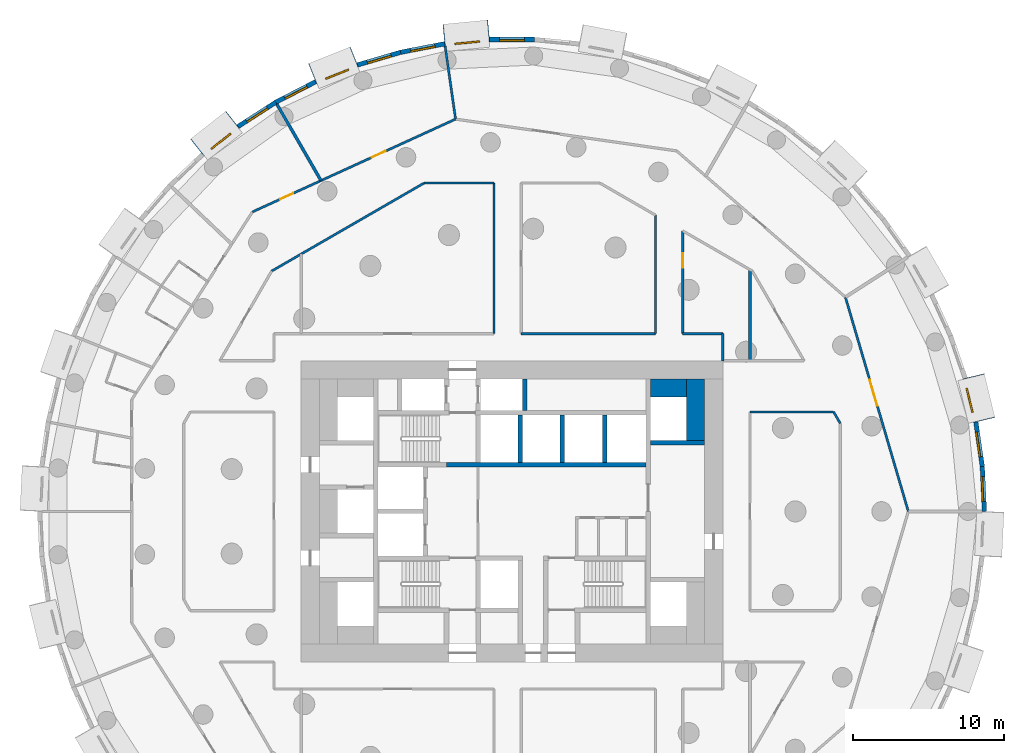
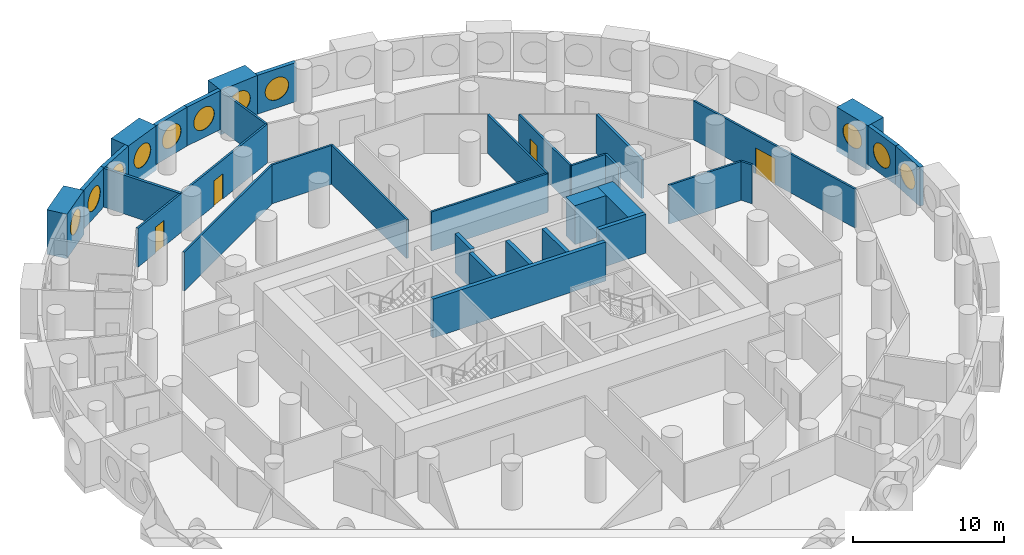
# One storey, part 8 of 11: 34 walls, 11 windows, 4 doors, 15 openings.
"""IFC4 building model written with IfcOpenShell, lengths in metres."""

from ifc_helpers import new_model, si_unit, direction, frame, frame_2d, origin, origin_2d, place, context, subcontext, project, spatial, rectangle, circle, extrude, material, layer, layer_set, type_object, element, fill, save


model = new_model("IFC4")

# Units and contexts
model_context = context("Model", 3, precision=1e-05, world=origin(), true_north=direction((0.0, 1.0)))
body_context = subcontext(model_context, "Body", "Model", "MODEL_VIEW")
ifc_project = project(units=[si_unit("LENGTHUNIT", "METRE"), si_unit("AREAUNIT", "SQUARE_METRE"), si_unit("VOLUMEUNIT", "CUBIC_METRE"), si_unit("PLANEANGLEUNIT", "RADIAN"), si_unit("MASSUNIT", "GRAM", prefix="KILO")], contexts=[model_context])

# Site, building, storey
site_placement = place(None, origin())
site = spatial("IfcSite", under=ifc_project, at=site_placement, CompositionType="ELEMENT")
building_placement = place(site_placement, origin())
building = spatial("IfcBuilding", under=site, at=building_placement, Name="Tracery Tower", CompositionType="ELEMENT")
storey_placement = place(building_placement, frame((0.0, 0.0, 64.199951171875)))
storey = spatial("IfcBuildingStorey", under=building, at=storey_placement, Name="L15", CompositionType="ELEMENT", Elevation=64.199951171875)

# Walls
ifc_material_1 = material(Name="Concrete C60/75", Category="concrete")
ifc_layer_1 = layer(ifc_material_1, 1.199951171875)
ifc_layer_set_1 = layer_set([ifc_layer_1], Name="Core strip wall 1200 C60")
wall_type_1 = type_object("IfcWallType", Name="Core strip wall 1200 C60", PredefinedType="SOLIDWALL", material=ifc_layer_set_1)
wall_1_placement = place(storey_placement, frame((12.199951171875, 4.699951171875, 0.0), z_axis=(0.0, 0.0, 1.0), x_axis=(0.0, 1.0, 0.0)))
element("IfcWall", 1, at=wall_1_placement, inside=storey, type_object=wall_type_1, Name="L15 wing strip +1 4.55", PredefinedType="SOLIDWALL", context=body_context, shape_type="SweptSolid", body=[
    extrude(rectangle(XDim=4.10009765625, YDim=1.199951171875, at=frame_2d((2.050048828125, 0.0))), origin(), (0.0, 0.0, 1.0), 3.150146484375),
])
wall_2_placement = place(storey_placement, frame((9.199951171875, 8.199951171875, 0.0), z_axis=(0.0, 0.0, 1.0), x_axis=(1.0, 0.0, 0.0)))
element("IfcWall", 2, at=wall_2_placement, inside=storey, type_object=wall_type_1, Name="L15 wing corner +1 +8.2", PredefinedType="SOLIDWALL", context=body_context, shape_type="SweptSolid", body=[
    extrude(rectangle(XDim=2.400146484375, YDim=1.199951171875, at=frame_2d((1.2001953125, 0.0))), origin(), (0.0, 0.0, 1.0), 3.150146484375),
])

# Wall, opening, window
ifc_material_2 = material(Name="Precast concrete C50/60", Category="concrete")
ifc_layer_2 = layer(ifc_material_2, 1.449951171875)
ifc_layer_set_2 = layer_set([ifc_layer_2], Name="Deep-set bay unit 3000 x 3600, slab edge 450")
wall_type_2 = type_object("IfcWallType", Name="Deep-set bay unit 3000 x 3600, slab edge 450", PredefinedType="ELEMENTEDWALL", material=ifc_layer_set_2)
wall_3_placement = place(storey_placement, frame((31.367919921875, 6.066162109375, -0.449951171875), z_axis=(0.0, 0.0, 1.0), x_axis=(-0.235751415068, 0.971813392732, 0.0)))
wall_3 = element("IfcWall", 3, at=wall_3_placement, inside=storey, type_object=wall_type_2, Name="Deep-set bay unit 3 at L15", PredefinedType="ELEMENTEDWALL", context=body_context, shape_type="SweptSolid", body=[
    extrude(rectangle(XDim=3.0, YDim=1.449951171875, at=frame_2d((1.5, 0.0))), origin(), (0.0, 0.0, 1.0), 3.60009765625),
])
opening_1_placement = place(wall_3_placement, frame((1.5, 0.0, 2.0)))
opening_1 = element("IfcOpeningElement", 4, at=opening_1_placement, cuts=wall_3, Name="Opening WN1", PredefinedType="OPENING", context=body_context, shape_type="SweptSolid", body=[
    extrude(circle(Radius=0.9000244140625, at=origin_2d()), frame((0.0, 0.73486328125, 0.0), z_axis=(0.0, -1.0, 0.0), x_axis=(1.0, 0.0, 0.0)), (0.0, 0.0, 1.0), 1.469970703125),
])
ifc_material_3 = material(Name="Aluminium frame with tinted double glazing", Category="aluminium")
window_type = type_object("IfcWindowType", Name="Round window 1800", PartitioningType="SINGLE_PANEL", PredefinedType="WINDOW", material=ifc_material_3)
window_1_placement = place(opening_1_placement, origin())
window_1 = element("IfcWindow", 5, at=window_1_placement, inside=storey, type_object=window_type, Name="Round window 3 at L15", OverallHeight=1.800048828125, OverallWidth=1.800048828125, PartitioningType="SINGLE_PANEL", PredefinedType="WINDOW", context=body_context, shape_type="SweptSolid", body=[
    extrude(circle(Radius=0.9000244140625, at=origin_2d()), frame((0.0, 0.69482421875, 0.0), z_axis=(0.0, -1.0, 0.0), x_axis=(1.0, 0.0, 0.0)), (0.0, 0.0, 1.0), 0.10009765625),
])
fill(opening_1, window_1)

wall_4_placement = place(storey_placement, frame((-1.540283203125, 31.911865234375, -0.449951171875), z_axis=(0.0, 0.0, 1.0), x_axis=(-0.995472768558, -0.09504718333, 0.0)))
wall_4 = element("IfcWall", 6, at=wall_4_placement, inside=storey, type_object=wall_type_2, Name="Deep-set bay unit 18 at L15", PredefinedType="ELEMENTEDWALL", context=body_context, shape_type="SweptSolid", body=[
    extrude(rectangle(XDim=3.000244140625, YDim=1.449951171875, at=frame_2d((1.5, 0.0))), origin(), (0.0, 0.0, 1.0), 3.60009765625),
])
opening_2_placement = place(wall_4_placement, frame((1.5, 0.0, 2.0)))
opening_2 = element("IfcOpeningElement", 7, at=opening_2_placement, cuts=wall_4, Name="Opening WN1", PredefinedType="OPENING", context=body_context, shape_type="SweptSolid", body=[
    extrude(circle(Radius=0.9000244140625, at=origin_2d()), frame((0.0, 0.73486328125, 0.0), z_axis=(0.0, -1.0, 0.0), x_axis=(1.0, 0.0, 0.0)), (0.0, 0.0, 1.0), 1.469970703125),
])
window_2_placement = place(opening_2_placement, origin())
window_2 = element("IfcWindow", 8, at=window_2_placement, inside=storey, type_object=window_type, Name="Round window 18 at L15", OverallHeight=1.800048828125, OverallWidth=1.800048828125, PartitioningType="SINGLE_PANEL", PredefinedType="WINDOW", context=body_context, shape_type="SweptSolid", body=[
    extrude(circle(Radius=0.9000244140625, at=origin_2d()), frame((0.0, 0.69482421875, 0.0), z_axis=(0.0, -1.0, 0.0), x_axis=(1.0, 0.0, 0.0)), (0.0, 0.0, 1.0), 0.10009765625),
])
fill(opening_2, window_2)

wall_5_placement = place(storey_placement, frame((-10.46875, 30.185302734375, -0.449951171875), z_axis=(0.0, 0.0, 1.0), x_axis=(-0.928358776184, -0.371685327504, 0.0)))
wall_5 = element("IfcWall", 9, at=wall_5_placement, inside=storey, type_object=wall_type_2, Name="Deep-set bay unit 21 at L15", PredefinedType="ELEMENTEDWALL", context=body_context, shape_type="SweptSolid", body=[
    extrude(rectangle(XDim=2.999755859375, YDim=1.449951171875, at=frame_2d((1.5, 0.0))), origin(), (0.0, 0.0, 1.0), 3.60009765625),
])
opening_3_placement = place(wall_5_placement, frame((1.5, 0.0, 2.0)))
opening_3 = element("IfcOpeningElement", 10, at=opening_3_placement, cuts=wall_5, Name="Opening WN1", PredefinedType="OPENING", context=body_context, shape_type="SweptSolid", body=[
    extrude(circle(Radius=0.9000244140625, at=origin_2d()), frame((0.0, 0.73486328125, 0.0), z_axis=(0.0, -1.0, 0.0), x_axis=(1.0, 0.0, 0.0)), (0.0, 0.0, 1.0), 1.469970703125),
])
window_3_placement = place(opening_3_placement, origin())
window_3 = element("IfcWindow", 11, at=window_3_placement, inside=storey, type_object=window_type, Name="Round window 21 at L15", OverallHeight=1.800048828125, OverallWidth=1.800048828125, PartitioningType="SINGLE_PANEL", PredefinedType="WINDOW", context=body_context, shape_type="SweptSolid", body=[
    extrude(circle(Radius=0.9000244140625, at=origin_2d()), frame((0.0, 0.69482421875, 0.0), z_axis=(0.0, -1.0, 0.0), x_axis=(1.0, 0.0, 0.0)), (0.0, 0.0, 1.0), 0.10009765625),
])
fill(opening_3, window_3)

wall_6_placement = place(storey_placement, frame((-18.548828125, 26.01318359375, -0.449951171875), z_axis=(0.0, 0.0, 1.0), x_axis=(-0.786049992888, -0.618162930529, 0.0)))
wall_6 = element("IfcWall", 12, at=wall_6_placement, inside=storey, type_object=wall_type_2, Name="Deep-set bay unit 24 at L15", PredefinedType="ELEMENTEDWALL", context=body_context, shape_type="SweptSolid", body=[
    extrude(rectangle(XDim=3.0, YDim=1.449951171875, at=frame_2d((1.5, 0.0))), origin(), (0.0, 0.0, 1.0), 3.60009765625),
])
opening_4_placement = place(wall_6_placement, frame((1.5, 0.0, 2.0)))
opening_4 = element("IfcOpeningElement", 13, at=opening_4_placement, cuts=wall_6, Name="Opening WN1", PredefinedType="OPENING", context=body_context, shape_type="SweptSolid", body=[
    extrude(circle(Radius=0.9000244140625, at=origin_2d()), frame((0.0, 0.73486328125, 0.0), z_axis=(0.0, -1.0, 0.0), x_axis=(1.0, 0.0, 0.0)), (0.0, 0.0, 1.0), 1.469970703125),
])
window_4_placement = place(opening_4_placement, origin())
window_4 = element("IfcWindow", 14, at=window_4_placement, inside=storey, type_object=window_type, Name="Round window 24 at L15", OverallHeight=1.800048828125, OverallWidth=1.800048828125, PartitioningType="SINGLE_PANEL", PredefinedType="WINDOW", context=body_context, shape_type="SweptSolid", body=[
    extrude(circle(Radius=0.9000244140625, at=origin_2d()), frame((0.0, 0.69482421875, 0.0), z_axis=(0.0, -1.0, 0.0), x_axis=(1.0, 0.0, 0.0)), (0.0, 0.0, 1.0), 0.10009765625),
])
fill(opening_4, window_4)

ifc_material_4 = material(Name="Precast concrete C50/60", Category="concrete")
ifc_layer_3 = layer(ifc_material_4, 0.300048828125)
ifc_layer_set_3 = layer_set([ifc_layer_3], Name="Facade panel 3000 x 3150")
wall_type_3 = type_object("IfcWallType", Name="Facade panel 3000 x 3150", PredefinedType="SOLIDWALL", material=ifc_layer_set_3)
wall_7_placement = place(storey_placement, frame((31.3740234375, 0.006103515625, 0.0), z_axis=(0.0, 0.0, 1.0), x_axis=(-0.047522328113, 0.998870175914, 0.0)))
wall_7 = element("IfcWall", 15, at=wall_7_placement, inside=storey, type_object=wall_type_3, Name="Facade panel 1 at L15", PredefinedType="SOLIDWALL", context=body_context, shape_type="SweptSolid", body=[
    extrude(rectangle(XDim=2.979736328125, YDim=0.300048828125, at=frame_2d((1.48974609375, 0.0))), origin(), (0.0, 0.0, 1.0), 3.150146484375),
])
opening_5_placement = place(wall_7_placement, frame((1.48974609375, 0.0, 1.5498046875)))
opening_5 = element("IfcOpeningElement", 16, at=opening_5_placement, cuts=wall_7, Name="Opening WN1", PredefinedType="OPENING", context=body_context, shape_type="SweptSolid", body=[
    extrude(circle(Radius=0.9000244140625, at=origin_2d()), frame((0.0, 0.159912109375, 0.0), z_axis=(0.0, -1.0, 0.0), x_axis=(1.0, 0.0, 0.0)), (0.0, 0.0, 1.0), 0.320068359375),
])
window_5_placement = place(opening_5_placement, origin())
window_5 = element("IfcWindow", 17, at=window_5_placement, inside=storey, type_object=window_type, Name="Round window 1 at L15", OverallHeight=1.800048828125, OverallWidth=1.800048828125, PartitioningType="SINGLE_PANEL", PredefinedType="WINDOW", context=body_context, shape_type="SweptSolid", body=[
    extrude(circle(Radius=0.9000244140625, at=origin_2d()), frame((0.0, 0.1201171875, 0.0), z_axis=(0.0, -1.0, 0.0), x_axis=(1.0, 0.0, 0.0)), (0.0, 0.0, 1.0), 0.10009765625),
])
fill(opening_5, window_5)

wall_8_placement = place(storey_placement, frame((31.232421875, 2.982421875, 0.0), z_axis=(0.0, 0.0, 1.0), x_axis=(-0.142327539111, 0.989819615693, 0.0)))
wall_8 = element("IfcWall", 18, at=wall_8_placement, inside=storey, type_object=wall_type_3, Name="Facade panel 2 at L15", PredefinedType="SOLIDWALL", context=body_context, shape_type="SweptSolid", body=[
    extrude(rectangle(XDim=2.9794921875, YDim=0.300048828125, at=frame_2d((1.48974609375, 0.0))), origin(), (0.0, 0.0, 1.0), 3.150146484375),
])
opening_6_placement = place(wall_8_placement, frame((1.48974609375, 0.0, 1.5498046875)))
opening_6 = element("IfcOpeningElement", 19, at=opening_6_placement, cuts=wall_8, Name="Opening WN1", PredefinedType="OPENING", context=body_context, shape_type="SweptSolid", body=[
    extrude(circle(Radius=0.9000244140625, at=origin_2d()), frame((0.0, 0.159912109375, 0.0), z_axis=(0.0, -1.0, 0.0), x_axis=(1.0, 0.0, 0.0)), (0.0, 0.0, 1.0), 0.320068359375),
])
window_6_placement = place(opening_6_placement, origin())
window_6 = element("IfcWindow", 20, at=window_6_placement, inside=storey, type_object=window_type, Name="Round window 2 at L15", OverallHeight=1.800048828125, OverallWidth=1.800048828125, PartitioningType="SINGLE_PANEL", PredefinedType="WINDOW", context=body_context, shape_type="SweptSolid", body=[
    extrude(circle(Radius=0.9000244140625, at=origin_2d()), frame((0.0, 0.1201171875, 0.0), z_axis=(0.0, -1.0, 0.0), x_axis=(1.0, 0.0, 0.0)), (0.0, 0.0, 1.0), 0.10009765625),
])
fill(opening_6, window_6)

wall_9_placement = place(storey_placement, frame((1.492919921875, 31.3388671875, 0.0), z_axis=(0.0, 0.0, 1.0), x_axis=(-1.0, 0.0, 0.0)))
wall_9 = element("IfcWall", 21, at=wall_9_placement, inside=storey, type_object=wall_type_3, Name="Facade panel 17 at L15", PredefinedType="SOLIDWALL", context=body_context, shape_type="SweptSolid", body=[
    extrude(rectangle(XDim=2.979736328125, YDim=0.300048828125, at=frame_2d((1.48974609375, 0.0))), origin(), (0.0, 0.0, 1.0), 3.150146484375),
])
opening_7_placement = place(wall_9_placement, frame((1.48974609375, 0.0, 1.5498046875)))
opening_7 = element("IfcOpeningElement", 22, at=opening_7_placement, cuts=wall_9, Name="Opening WN1", PredefinedType="OPENING", context=body_context, shape_type="SweptSolid", body=[
    extrude(circle(Radius=0.9000244140625, at=origin_2d()), frame((0.0, 0.159912109375, 0.0), z_axis=(0.0, -1.0, 0.0), x_axis=(1.0, 0.0, 0.0)), (0.0, 0.0, 1.0), 0.320068359375),
])
window_7_placement = place(opening_7_placement, origin())
window_7 = element("IfcWindow", 23, at=window_7_placement, inside=storey, type_object=window_type, Name="Round window 17 at L15", OverallHeight=1.800048828125, OverallWidth=1.800048828125, PartitioningType="SINGLE_PANEL", PredefinedType="WINDOW", context=body_context, shape_type="SweptSolid", body=[
    extrude(circle(Radius=0.9000244140625, at=origin_2d()), frame((0.0, 0.1201171875, 0.0), z_axis=(0.0, -1.0, 0.0), x_axis=(1.0, 0.0, 0.0)), (0.0, 0.0, 1.0), 0.10009765625),
])
fill(opening_7, window_7)

wall_10_placement = place(storey_placement, frame((-4.470947265625, 31.053955078125, 0.0), z_axis=(0.0, 0.0, 1.0), x_axis=(-0.981924535406, -0.189272836848, 0.0)))
wall_10 = element("IfcWall", 24, at=wall_10_placement, inside=storey, type_object=wall_type_3, Name="Facade panel 19 at L15", PredefinedType="SOLIDWALL", context=body_context, shape_type="SweptSolid", body=[
    extrude(rectangle(XDim=2.979736328125, YDim=0.300048828125, at=frame_2d((1.48974609375, 0.0))), origin(), (0.0, 0.0, 1.0), 3.150146484375),
])
opening_8_placement = place(wall_10_placement, frame((1.48974609375, 0.0, 1.5498046875)))
opening_8 = element("IfcOpeningElement", 25, at=opening_8_placement, cuts=wall_10, Name="Opening WN1", PredefinedType="OPENING", context=body_context, shape_type="SweptSolid", body=[
    extrude(circle(Radius=0.9000244140625, at=origin_2d()), frame((0.0, 0.159912109375, 0.0), z_axis=(0.0, -1.0, 0.0), x_axis=(1.0, 0.0, 0.0)), (0.0, 0.0, 1.0), 0.320068359375),
])
window_8_placement = place(opening_8_placement, origin())
window_8 = element("IfcWindow", 26, at=window_8_placement, inside=storey, type_object=window_type, Name="Round window 19 at L15", OverallHeight=1.800048828125, OverallWidth=1.800048828125, PartitioningType="SINGLE_PANEL", PredefinedType="WINDOW", context=body_context, shape_type="SweptSolid", body=[
    extrude(circle(Radius=0.9000244140625, at=origin_2d()), frame((0.0, 0.1201171875, 0.0), z_axis=(0.0, -1.0, 0.0), x_axis=(1.0, 0.0, 0.0)), (0.0, 0.0, 1.0), 0.10009765625),
])
fill(opening_8, window_8)

wall_11_placement = place(storey_placement, frame((-7.396728515625, 30.489990234375, 0.0), z_axis=(0.0, 0.0, 1.0), x_axis=(-0.959507586834, -0.28168278401, 0.0)))
wall_11 = element("IfcWall", 27, at=wall_11_placement, inside=storey, type_object=wall_type_3, Name="Facade panel 20 at L15", PredefinedType="SOLIDWALL", context=body_context, shape_type="SweptSolid", body=[
    extrude(rectangle(XDim=2.979736328125, YDim=0.300048828125, at=frame_2d((1.48974609375, 0.0))), origin(), (0.0, 0.0, 1.0), 3.150146484375),
])
opening_9_placement = place(wall_11_placement, frame((1.48974609375, 0.0, 1.5498046875)))
opening_9 = element("IfcOpeningElement", 28, at=opening_9_placement, cuts=wall_11, Name="Opening WN1", PredefinedType="OPENING", context=body_context, shape_type="SweptSolid", body=[
    extrude(circle(Radius=0.9000244140625, at=origin_2d()), frame((0.0, 0.159912109375, 0.0), z_axis=(0.0, -1.0, 0.0), x_axis=(1.0, 0.0, 0.0)), (0.0, 0.0, 1.0), 0.320068359375),
])
window_9_placement = place(opening_9_placement, origin())
window_9 = element("IfcWindow", 29, at=window_9_placement, inside=storey, type_object=window_type, Name="Round window 20 at L15", OverallHeight=1.800048828125, OverallWidth=1.800048828125, PartitioningType="SINGLE_PANEL", PredefinedType="WINDOW", context=body_context, shape_type="SweptSolid", body=[
    extrude(circle(Radius=0.9000244140625, at=origin_2d()), frame((0.0, 0.1201171875, 0.0), z_axis=(0.0, -1.0, 0.0), x_axis=(1.0, 0.0, 0.0)), (0.0, 0.0, 1.0), 0.10009765625),
])
fill(opening_9, window_9)

wall_12_placement = place(storey_placement, frame((-13.038818359375, 28.536376953125, 0.0), z_axis=(0.0, 0.0, 1.0), x_axis=(-0.888853225096, -0.4581920386, 0.0)))
wall_12 = element("IfcWall", 30, at=wall_12_placement, inside=storey, type_object=wall_type_3, Name="Facade panel 22 at L15", PredefinedType="SOLIDWALL", context=body_context, shape_type="SweptSolid", body=[
    extrude(rectangle(XDim=2.9794921875, YDim=0.300048828125, at=frame_2d((1.48974609375, 0.0))), origin(), (0.0, 0.0, 1.0), 3.150146484375),
])
opening_10_placement = place(wall_12_placement, frame((1.48974609375, 0.0, 1.5498046875)))
opening_10 = element("IfcOpeningElement", 31, at=opening_10_placement, cuts=wall_12, Name="Opening WN1", PredefinedType="OPENING", context=body_context, shape_type="SweptSolid", body=[
    extrude(circle(Radius=0.9000244140625, at=origin_2d()), frame((0.0, 0.159912109375, 0.0), z_axis=(0.0, -1.0, 0.0), x_axis=(1.0, 0.0, 0.0)), (0.0, 0.0, 1.0), 0.320068359375),
])
window_10_placement = place(opening_10_placement, origin())
window_10 = element("IfcWindow", 32, at=window_10_placement, inside=storey, type_object=window_type, Name="Round window 22 at L15", OverallHeight=1.800048828125, OverallWidth=1.800048828125, PartitioningType="SINGLE_PANEL", PredefinedType="WINDOW", context=body_context, shape_type="SweptSolid", body=[
    extrude(circle(Radius=0.9000244140625, at=origin_2d()), frame((0.0, 0.1201171875, 0.0), z_axis=(0.0, -1.0, 0.0), x_axis=(1.0, 0.0, 0.0)), (0.0, 0.0, 1.0), 0.10009765625),
])
fill(opening_10, window_10)

wall_13_placement = place(storey_placement, frame((-15.687255859375, 27.171142578125, 0.0), z_axis=(0.0, 0.0, 1.0), x_axis=(-0.84122372879, -0.540687190639, 0.0)))
wall_13 = element("IfcWall", 33, at=wall_13_placement, inside=storey, type_object=wall_type_3, Name="Facade panel 23 at L15", PredefinedType="SOLIDWALL", context=body_context, shape_type="SweptSolid", body=[
    extrude(rectangle(XDim=2.979736328125, YDim=0.300048828125, at=frame_2d((1.48974609375, 0.0))), origin(), (0.0, 0.0, 1.0), 3.150146484375),
])
opening_11_placement = place(wall_13_placement, frame((1.48974609375, 0.0, 1.5498046875)))
opening_11 = element("IfcOpeningElement", 34, at=opening_11_placement, cuts=wall_13, Name="Opening WN1", PredefinedType="OPENING", context=body_context, shape_type="SweptSolid", body=[
    extrude(circle(Radius=0.9000244140625, at=origin_2d()), frame((0.0, 0.159912109375, 0.0), z_axis=(0.0, -1.0, 0.0), x_axis=(1.0, 0.0, 0.0)), (0.0, 0.0, 1.0), 0.320068359375),
])
window_11_placement = place(opening_11_placement, origin())
window_11 = element("IfcWindow", 35, at=window_11_placement, inside=storey, type_object=window_type, Name="Round window 23 at L15", OverallHeight=1.800048828125, OverallWidth=1.800048828125, PartitioningType="SINGLE_PANEL", PredefinedType="WINDOW", context=body_context, shape_type="SweptSolid", body=[
    extrude(circle(Radius=0.9000244140625, at=origin_2d()), frame((0.0, 0.1201171875, 0.0), z_axis=(0.0, -1.0, 0.0), x_axis=(1.0, 0.0, 0.0)), (0.0, 0.0, 1.0), 0.10009765625),
])
fill(opening_11, window_11)

# Walls
ifc_material_5 = material(Name="Plasterboard on steel studs", Category="steel")
ifc_layer_4 = layer(ifc_material_5, 0.14990234375)
ifc_layer_set_4 = layer_set([ifc_layer_4], Name="Partition 150 acoustic unit wall")
wall_type_4 = type_object("IfcWallType", Name="Partition 150 acoustic unit wall", PredefinedType="PARTITIONING", material=ifc_layer_set_4)
wall_14_placement = place(storey_placement, frame((-4.444091796875, 30.906005859375, 0.0), z_axis=(0.0, 0.0, 1.0), x_axis=(0.142306296561, -0.989822669956, 0.0)))
element("IfcWall", 36, at=wall_14_placement, inside=storey, type_object=wall_type_4, Name="Unit wall RA4-068", PredefinedType="PARTITIONING", context=body_context, shape_type="SweptSolid", body=[
    extrude(rectangle(XDim=4.90478515625, YDim=0.14990234375, at=frame_2d((2.452392578125, 0.0))), origin(), (0.0, 0.0, 1.0), 3.150146484375),
])
ifc_material_6 = material(Name="Plasterboard on steel studs", Category="steel")
ifc_layer_5 = layer(ifc_material_6, 0.14990234375)
ifc_layer_set_5 = layer_set([ifc_layer_5], Name="Partition 150 corridor wall")
wall_type_5 = type_object("IfcWallType", Name="Partition 150 corridor wall", PredefinedType="PARTITIONING", material=ifc_layer_set_5)
wall_15_placement = place(storey_placement, frame((0.60400390625, 11.800048828125, 0.0), z_axis=(0.0, 0.0, 1.0), x_axis=(1.0, 0.0, 0.0)))
element("IfcWall", 37, at=wall_15_placement, inside=storey, type_object=wall_type_5, Name="Corridor wall RA4-002", PredefinedType="PARTITIONING", context=body_context, shape_type="SweptSolid", body=[
    extrude(rectangle(XDim=8.93603515625, YDim=0.14990234375, at=frame_2d((4.468017578125, 0.0))), origin(), (0.0, 0.0, 1.0), 3.150146484375),
])
wall_16_placement = place(storey_placement, frame((11.33203125, 11.800048828125, 0.0), z_axis=(0.0, 0.0, 1.0), x_axis=(1.0, 0.0, 0.0)))
element("IfcWall", 38, at=wall_16_placement, inside=storey, type_object=wall_type_5, Name="Corridor wall RA4-003", PredefinedType="PARTITIONING", context=body_context, shape_type="SweptSolid", body=[
    extrude(rectangle(XDim=2.66796875, YDim=0.14990234375, at=frame_2d((1.333984375, 0.0))), origin(), (0.0, 0.0, 1.0), 3.150146484375),
])
wall_17_placement = place(storey_placement, frame((14.0, 10.0, 0.0), z_axis=(0.0, 0.0, 1.0), x_axis=(0.0, 1.0, 0.0)))
element("IfcWall", 39, at=wall_17_placement, inside=storey, type_object=wall_type_5, Name="Corridor wall RA4-004", PredefinedType="PARTITIONING", context=body_context, shape_type="SweptSolid", body=[
    extrude(rectangle(XDim=1.800048828125, YDim=0.14990234375, at=frame_2d((0.89990234375, 0.0))), origin(), (0.0, 0.0, 1.0), 3.150146484375),
])
wall_18_placement = place(storey_placement, frame((21.364013671875, 6.60009765625, 0.0), z_axis=(0.0, 0.0, 1.0), x_axis=(0.500277597875, -0.865865073245, 0.0)))
element("IfcWall", 40, at=wall_18_placement, inside=storey, type_object=wall_type_5, Name="Corridor wall RA4-018", PredefinedType="PARTITIONING", context=body_context, shape_type="SweptSolid", body=[
    extrude(rectangle(XDim=0.87548828125, YDim=0.14990234375, at=frame_2d((0.437744140625, 0.0))), origin(), (0.0, 0.0, 1.0), 3.150146484375),
])
wall_19_placement = place(storey_placement, frame((15.800048828125, 6.60009765625, 0.0), z_axis=(0.0, 0.0, 1.0), x_axis=(1.0, 0.0, 0.0)))
element("IfcWall", 41, at=wall_19_placement, inside=storey, type_object=wall_type_5, Name="Corridor wall RA4-019", PredefinedType="PARTITIONING", context=body_context, shape_type="SweptSolid", body=[
    extrude(rectangle(XDim=5.56396484375, YDim=0.14990234375, at=frame_2d((2.781982421875, 0.0))), origin(), (0.0, 0.0, 1.0), 3.150146484375),
])

# Wall, opening, door
wall_20_placement = place(storey_placement, frame((22.14111328125, 14.22900390625, 0.0), z_axis=(0.0, 0.0, 1.0), x_axis=(0.281730446162, -0.959493593363, 0.0)))
wall_20 = element("IfcWall", 42, at=wall_20_placement, inside=storey, type_object=wall_type_5, Name="Corridor wall RA4-022", PredefinedType="PARTITIONING", context=body_context, shape_type="SweptSolid", body=[
    extrude(rectangle(XDim=14.82958984375, YDim=0.14990234375, at=frame_2d((7.414794921875, 0.0))), origin(), (0.0, 0.0, 1.0), 3.150146484375),
])
opening_12_placement = place(wall_20_placement, frame((5.715087890625, 0.0, 0.0)))
opening_12 = element("IfcOpeningElement", 43, at=opening_12_placement, cuts=wall_20, Name="Opening RA4-13", PredefinedType="OPENING", context=body_context, shape_type="SweptSolid", body=[
    extrude(rectangle(XDim=1.800048828125, YDim=2.10009765625, at=frame_2d((0.89990234375, 1.050048828125))), frame((0.0, 0.074951171875, 0.0), z_axis=(0.0, -1.0, 0.0), x_axis=(1.0, 0.0, 0.0)), (0.0, 0.0, 1.0), 0.14990234375),
])
ifc_material_7 = material(Name="Timber door leaf", Category="wood")
door_type_1 = type_object("IfcDoorType", Name="Door double lounge 1800", OperationType="NOTDEFINED", PredefinedType="DOOR", material=ifc_material_7)
door_1_placement = place(opening_12_placement, origin())
door_1 = element("IfcDoor", 44, at=door_1_placement, inside=storey, type_object=door_type_1, Name="Double lounge door RA4-13", OperationType="DOUBLE_DOOR_SINGLE_SWING", OverallHeight=2.10009765625, OverallWidth=1.800048828125, PredefinedType="DOOR", context=body_context, shape_type="SweptSolid", body=[
    extrude(rectangle(XDim=1.800048828125, YDim=2.10009765625, at=frame_2d((0.89990234375, 1.050048828125))), frame((0.0, 0.02490234375, 0.0), z_axis=(0.0, -1.0, 0.0), x_axis=(1.0, 0.0, 0.0)), (0.0, 0.0, 1.0), 0.050048828125),
])
fill(opening_12, door_1)

# Walls
wall_21_placement = place(storey_placement, frame((-1.19189453125, 11.800048828125, 0.0), z_axis=(0.0, 0.0, 1.0), x_axis=(0.0, 1.0, 0.0)))
element("IfcWall", 45, at=wall_21_placement, inside=storey, type_object=wall_type_5, Name="Corridor wall RA4-026", PredefinedType="PARTITIONING", context=body_context, shape_type="SweptSolid", body=[
    extrude(rectangle(XDim=10.001953125, YDim=0.14990234375, at=frame_2d((5.0009765625, 0.0))), origin(), (0.0, 0.0, 1.0), 3.150146484375),
])
wall_22_placement = place(storey_placement, frame((-5.842041015625, 21.802001953125, 0.0), z_axis=(0.0, 0.0, 1.0), x_axis=(1.0, 0.0, 0.0)))
element("IfcWall", 46, at=wall_22_placement, inside=storey, type_object=wall_type_5, Name="Corridor wall RA4-027", PredefinedType="PARTITIONING", context=body_context, shape_type="SweptSolid", body=[
    extrude(rectangle(XDim=4.650146484375, YDim=0.14990234375, at=frame_2d((2.3251953125, 0.0))), origin(), (0.0, 0.0, 1.0), 3.150146484375),
])
wall_23_placement = place(storey_placement, frame((-15.960205078125, 15.960205078125, 0.0), z_axis=(0.0, 0.0, 1.0), x_axis=(0.866022730501, 0.500004630234, 0.0)))
element("IfcWall", 47, at=wall_23_placement, inside=storey, type_object=wall_type_5, Name="Corridor wall RA4-028", PredefinedType="PARTITIONING", context=body_context, shape_type="SweptSolid", body=[
    extrude(rectangle(XDim=11.68359375, YDim=0.14990234375, at=frame_2d((5.841796875, 0.0))), origin(), (0.0, 0.0, 1.0), 3.150146484375),
])
wall_24_placement = place(storey_placement, frame((9.535888671875, 11.800048828125, 0.0), z_axis=(0.0, 0.0, 1.0), x_axis=(0.0, 1.0, 0.0)))
element("IfcWall", 48, at=wall_24_placement, inside=storey, type_object=wall_type_5, Name="Corridor wall RA4-029", PredefinedType="PARTITIONING", context=body_context, shape_type="SweptSolid", body=[
    extrude(rectangle(XDim=7.868896484375, YDim=0.14990234375, at=frame_2d((3.9345703125, 0.0))), origin(), (0.0, 0.0, 1.0), 3.150146484375),
])

# Wall, opening, door
wall_25_placement = place(storey_placement, frame((11.3359375, 11.800048828125, 0.0), z_axis=(0.0, 0.0, 1.0), x_axis=(0.0, 1.0, 0.0)))
wall_25 = element("IfcWall", 49, at=wall_25_placement, inside=storey, type_object=wall_type_5, Name="Corridor wall RA4-034", PredefinedType="PARTITIONING", context=body_context, shape_type="SweptSolid", body=[
    extrude(rectangle(XDim=6.829833984375, YDim=0.14990234375, at=frame_2d((3.4150390625, 0.0))), origin(), (0.0, 0.0, 1.0), 3.150146484375),
])
opening_13_placement = place(wall_25_placement, frame((4.389892578125, 0.0, 0.0)))
opening_13 = element("IfcOpeningElement", 50, at=opening_13_placement, cuts=wall_25, Name="Opening RA4-03", PredefinedType="OPENING", context=body_context, shape_type="SweptSolid", body=[
    extrude(rectangle(XDim=0.949951171875, YDim=2.10009765625, at=frame_2d((0.47509765625, 1.050048828125))), frame((0.0, 0.074951171875, 0.0), z_axis=(0.0, -1.0, 0.0), x_axis=(1.0, 0.0, 0.0)), (0.0, 0.0, 1.0), 0.14990234375),
])
ifc_material_8 = material(Name="Timber door leaf", Category="wood")
door_type_2 = type_object("IfcDoorType", Name="Door store 950", OperationType="NOTDEFINED", PredefinedType="DOOR", material=ifc_material_8)
door_2_placement = place(opening_13_placement, origin())
door_2 = element("IfcDoor", 51, at=door_2_placement, inside=storey, type_object=door_type_2, Name="Store door RA4-03", OperationType="SINGLE_SWING_LEFT", OverallHeight=2.10009765625, OverallWidth=0.949951171875, PredefinedType="DOOR", context=body_context, shape_type="SweptSolid", body=[
    extrude(rectangle(XDim=0.949951171875, YDim=2.10009765625, at=frame_2d((0.47509765625, 1.050048828125))), frame((0.0, 0.02490234375, 0.0), z_axis=(0.0, -1.0, 0.0), x_axis=(1.0, 0.0, 0.0)), (0.0, 0.0, 1.0), 0.050048828125),
])
fill(opening_13, door_2)

# Wall, openings, doors
wall_26_placement = place(storey_placement, frame((-17.23486328125, 19.8896484375, 0.0), z_axis=(0.0, 0.0, 1.0), x_axis=(0.909599826886, 0.415485444907, 0.0)))
wall_26 = element("IfcWall", 52, at=wall_26_placement, inside=storey, type_object=wall_type_5, Name="Corridor wall RA4-036", PredefinedType="PARTITIONING", context=body_context, shape_type="SweptSolid", body=[
    extrude(rectangle(XDim=14.829345703125, YDim=0.14990234375, at=frame_2d((7.41455078125, 0.0))), origin(), (0.0, 0.0, 1.0), 3.150146484375),
])
opening_14_placement = place(wall_26_placement, frame((8.71484375, 0.0, 0.0)))
opening_14 = element("IfcOpeningElement", 53, at=opening_14_placement, cuts=wall_26, Name="Opening RA4-16", PredefinedType="OPENING", context=body_context, shape_type="SweptSolid", body=[
    extrude(rectangle(XDim=1.0, YDim=2.0400390625, at=frame_2d((0.5, 1.02001953125))), frame((0.0, 0.074951171875, 0.0), z_axis=(0.0, -1.0, 0.0), x_axis=(1.0, 0.0, 0.0)), (0.0, 0.0, 1.0), 0.14990234375),
])
opening_15_placement = place(wall_26_placement, frame((2.029052734375, 0.0, 0.0)))
opening_15 = element("IfcOpeningElement", 54, at=opening_15_placement, cuts=wall_26, Name="Opening RA4-17", PredefinedType="OPENING", context=body_context, shape_type="SweptSolid", body=[
    extrude(rectangle(XDim=0.949951171875, YDim=2.10009765625, at=frame_2d((0.47509765625, 1.050048828125))), frame((0.0, 0.074951171875, 0.0), z_axis=(0.0, -1.0, 0.0), x_axis=(1.0, 0.0, 0.0)), (0.0, 0.0, 1.0), 0.14990234375),
])
ifc_material_9 = material(Name="Timber door leaf", Category="wood")
door_type_3 = type_object("IfcDoorType", Name="Door communal room 1000", OperationType="NOTDEFINED", PredefinedType="DOOR", material=ifc_material_9)
door_3_placement = place(opening_14_placement, origin())
door_3 = element("IfcDoor", 55, at=door_3_placement, inside=storey, type_object=door_type_3, Name="Communal room door RA4-16", OperationType="SINGLE_SWING_LEFT", OverallHeight=2.0400390625, OverallWidth=1.0, PredefinedType="DOOR", context=body_context, shape_type="SweptSolid", body=[
    extrude(rectangle(XDim=1.0, YDim=2.0400390625, at=frame_2d((0.5, 1.02001953125))), frame((0.0, 0.02490234375, 0.0), z_axis=(0.0, -1.0, 0.0), x_axis=(1.0, 0.0, 0.0)), (0.0, 0.0, 1.0), 0.050048828125),
])
fill(opening_14, door_3)
door_4_placement = place(opening_15_placement, origin())
door_4 = element("IfcDoor", 56, at=door_4_placement, inside=storey, type_object=door_type_2, Name="Store door RA4-17", OperationType="SINGLE_SWING_RIGHT", OverallHeight=2.10009765625, OverallWidth=0.949951171875, PredefinedType="DOOR", context=body_context, shape_type="SweptSolid", body=[
    extrude(rectangle(XDim=0.949951171875, YDim=2.10009765625, at=frame_2d((0.47509765625, 1.050048828125))), frame((0.0, 0.02490234375, 0.0), z_axis=(0.0, -1.0, 0.0), x_axis=(1.0, 0.0, 0.0)), (0.0, 0.0, 1.0), 0.050048828125),
])
fill(opening_15, door_4)

# Walls
ifc_material_10 = material(Name="Plasterboard on steel studs", Category="steel")
ifc_layer_6 = layer(ifc_material_10, 0.199951171875)
ifc_layer_set_6 = layer_set([ifc_layer_6], Name="Partition 200 compartment wall")
wall_type_6 = type_object("IfcWallType", Name="Partition 200 compartment wall", PredefinedType="PARTITIONING", material=ifc_layer_set_6)
wall_27_placement = place(storey_placement, frame((15.800048828125, 10.0, 0.0), z_axis=(0.0, 0.0, 1.0), x_axis=(0.0, 1.0, 0.0)))
element("IfcWall", 57, at=wall_27_placement, inside=storey, type_object=wall_type_6, Name="Compartment wall RA4-062", PredefinedType="PARTITIONING", context=body_context, shape_type="SweptSolid", body=[
    extrude(rectangle(XDim=6.052978515625, YDim=0.199951171875, at=frame_2d((3.0263671875, 0.0))), origin(), (0.0, 0.0, 1.0), 3.150146484375),
])
wall_28_placement = place(storey_placement, frame((-15.612060546875, 27.041015625, 0.0), z_axis=(0.0, 0.0, 1.0), x_axis=(0.499954606878, -0.86605160993, 0.0)))
element("IfcWall", 58, at=wall_28_placement, inside=storey, type_object=wall_type_6, Name="Compartment wall RA4-069", PredefinedType="PARTITIONING", context=body_context, shape_type="SweptSolid", body=[
    extrude(rectangle(XDim=5.8564453125, YDim=0.199951171875, at=frame_2d((2.92822265625, 0.0))), origin(), (0.0, 0.0, 1.0), 3.150146484375),
])
ifc_material_11 = material(Name="Concrete C60/75", Category="concrete")
ifc_layer_7 = layer(ifc_material_11, 0.300048828125)
ifc_layer_set_7 = layer_set([ifc_layer_7], Name="Shaft wall 300 C60")
wall_type_7 = type_object("IfcWallType", Name="Shaft wall 300 C60", PredefinedType="SOLIDWALL", material=ifc_layer_set_7)
for number, where, z_axis, x_axis, name in (
    (59, (0.550048828125, 3.25, 0.0), (0.0, 0.0, 1.0), (0.0, 1.0, 0.0), "L15 HR sep 1"),
    (60, (3.35009765625, 3.25, 0.0), (0.0, 0.0, 1.0), (0.0, 1.0, 0.0), "L15 HR sep 2"),
    (61, (6.14990234375, 3.25, 0.0), (0.0, 0.0, 1.0), (0.0, 1.0, 0.0), "L15 HR sep 3"),
):
    element("IfcWall", number, at=place(storey_placement, frame(where, z_axis=z_axis, x_axis=x_axis)), inside=storey, type_object=wall_type_7, Name=name, PredefinedType="SOLIDWALL", context=body_context, shape_type="SweptSolid", body=[
        extrude(rectangle(XDim=3.14990234375, YDim=0.300048828125, at=frame_2d((1.574951171875, 0.0))), origin(), (0.0, 0.0, 1.0), 3.150146484375),
    ])
wall_29_placement = place(storey_placement, frame((0.85009765625, 6.699951171875, 0.0), z_axis=(0.0, 0.0, 1.0), x_axis=(0.0, 1.0, 0.0)))
element("IfcWall", 62, at=wall_29_placement, inside=storey, type_object=wall_type_7, Name="L15 LR sep 0.85", PredefinedType="SOLIDWALL", context=body_context, shape_type="SweptSolid", body=[
    extrude(rectangle(XDim=2.10009765625, YDim=0.300048828125, at=frame_2d((1.050048828125, 0.0))), origin(), (0.0, 0.0, 1.0), 3.150146484375),
])
wall_30_placement = place(storey_placement, frame((9.199951171875, 4.550048828125, 0.0), z_axis=(0.0, 0.0, 1.0), x_axis=(1.0, 0.0, 0.0)))
element("IfcWall", 63, at=wall_30_placement, inside=storey, type_object=wall_type_7, Name="L15 wing shaft wall +1 +4.55", PredefinedType="SOLIDWALL", context=body_context, shape_type="SweptSolid", body=[
    extrude(rectangle(XDim=3.60009765625, YDim=0.300048828125, at=frame_2d((1.800048828125, 0.0))), origin(), (0.0, 0.0, 1.0), 3.150146484375),
])
ifc_material_12 = material(Name="Concrete C60/75", Category="concrete")
ifc_layer_8 = layer(ifc_material_12, 0.300048828125)
ifc_layer_set_8 = layer_set([ifc_layer_8], Name="Stair wall 300 C60")
wall_type_8 = type_object("IfcWallType", Name="Stair wall 300 C60", PredefinedType="SOLIDWALL", material=ifc_layer_set_8)
wall_31_placement = place(storey_placement, frame((-4.35009765625, 3.10009765625, 0.0), z_axis=(0.0, 0.0, 1.0), x_axis=(1.0, 0.0, 0.0)))
element("IfcWall", 64, at=wall_31_placement, inside=storey, type_object=wall_type_8, Name="L15 row N", PredefinedType="SOLIDWALL", context=body_context, shape_type="SweptSolid", body=[
    extrude(rectangle(XDim=13.25, YDim=0.300048828125, at=frame_2d((6.625, 0.0))), origin(), (0.0, 0.0, 1.0), 3.150146484375),
])

save(model, "model.ifc")
